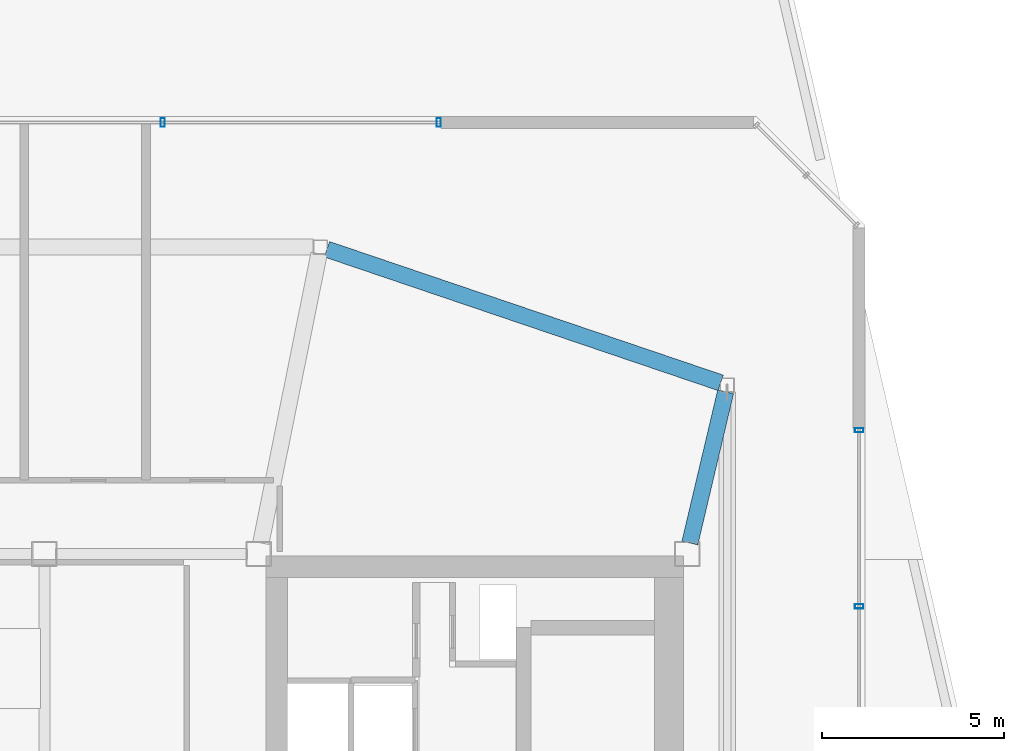
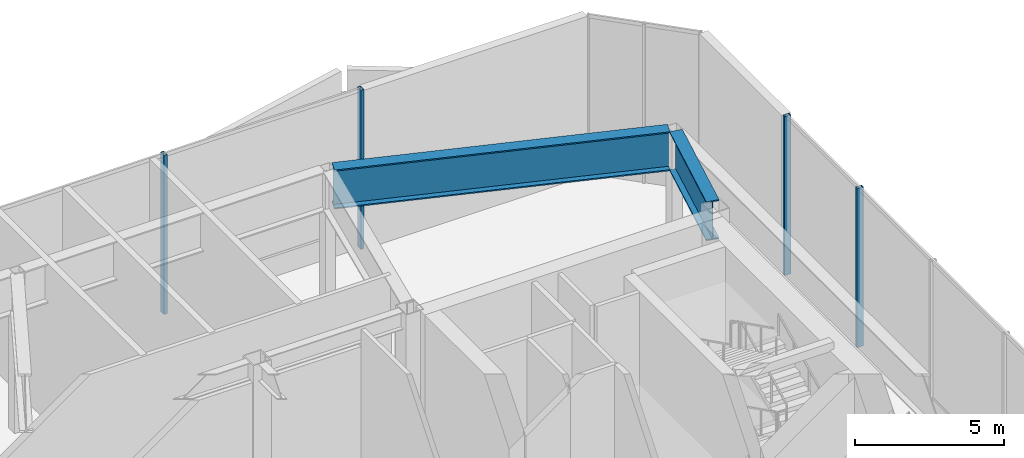
# One storey, part 16 of 25: 4 members, 2 beams, 2 elements without a shape of their own.
"""IFC4 building model written with IfcOpenShell, lengths in metres."""

from ifc_helpers import new_model, si_unit, direction, frame, origin, origin_2d, place, context, subcontext, project, spatial, hollow_rectangle, i_section, extrude, material, layer, layer_set, material_profile, profile_set, type_object, element, aggregate, save


model = new_model("IFC4")

# Units and contexts
model_context = context("Model", 3, precision=1e-05, world=origin(), true_north=direction((0.0, 1.0)))
body_context = subcontext(model_context, "Body", "Model", "MODEL_VIEW")
ifc_project = project(units=[si_unit("LENGTHUNIT", "METRE"), si_unit("AREAUNIT", "SQUARE_METRE"), si_unit("VOLUMEUNIT", "CUBIC_METRE"), si_unit("PLANEANGLEUNIT", "RADIAN"), si_unit("MASSUNIT", "GRAM", prefix="KILO")], contexts=[model_context])

# Site, building, storey
site_placement = place(None, origin())
site = spatial("IfcSite", under=ifc_project, at=site_placement, CompositionType="ELEMENT")
building_placement = place(site_placement, origin())
building = spatial("IfcBuilding", under=site, at=building_placement, Name="Tavrogorsk Clinical Tower", CompositionType="ELEMENT")
storey_placement = place(building_placement, frame((0.0, 0.0, 333.0)))
storey = spatial("IfcBuildingStorey", under=building, at=storey_placement, Name="L78", CompositionType="ELEMENT", Elevation=333.0)

# Curtain wall, members
ifc_material_1 = material(Name="Anodised aluminium and triple IGU glazing", Category="aluminium")
ifc_layer = layer(ifc_material_1, 0.179931640625)
ifc_layer_set = layer_set([ifc_layer], Name="Anodised aluminium and triple IGU glazing")
curtain_wall_type = type_object("IfcCurtainWallType", Name="CW6_TmdLantern", PredefinedType="NOTDEFINED", material=ifc_layer_set)
curtain_wall_1_placement = place(storey_placement, origin())
curtain_wall_1 = element("IfcCurtainWall", 1, at=curtain_wall_1_placement, inside=storey, type_object=curtain_wall_type, Name="L78 Curtain Wall CW-L78-TMD-4", PredefinedType="NOTDEFINED")
ifc_material_2 = material(Name="Anodised aluminium alloy AW-6060", Category="aluminium")
ifc_material_profile_1 = material_profile(ifc_material_2, hollow_rectangle(XDim=0.1201171875, YDim=0.239990234375, WallThickness=0.008056640625, at=origin_2d()), Name="RHS-240x120x8")
ifc_profile_set_1 = profile_set([ifc_material_profile_1], Name="Anodised aluminium alloy AW-6060")
member_type = type_object("IfcMemberType", Name="CwMullion_240x120", PredefinedType="MULLION", material=ifc_profile_set_1)
member_1_placement = place(storey_placement, frame((7.659912109375, 18.22998046875, 0.0), z_axis=(0.0, 0.0, 1.0), x_axis=(1.0, 0.0, 0.0)))
member_1 = element("IfcMember", 2, at=member_1_placement, type_object=member_type, Name="CW-L78-TMD-4 Mullion 4", PredefinedType="MULLION", context=body_context, shape_type="SweptSolid", body=[
    extrude(hollow_rectangle(XDim=0.1201171875, YDim=0.239990234375, WallThickness=0.008056640625, at=origin_2d()), origin(), (0.0, 0.0, 1.0), 6.5),
])
member_2_placement = place(storey_placement, frame((15.259521484375, 18.22998046875, 0.0), z_axis=(0.0, 0.0, 1.0), x_axis=(1.0, 0.0, 0.0)))
member_2 = element("IfcMember", 3, at=member_2_placement, type_object=member_type, Name="CW-L78-TMD-4 Mullion 5", PredefinedType="MULLION", context=body_context, shape_type="SweptSolid", body=[
    extrude(hollow_rectangle(XDim=0.1201171875, YDim=0.239990234375, WallThickness=0.008056640625, at=origin_2d()), origin(), (0.0, 0.0, 1.0), 6.5),
])
aggregate(curtain_wall_1, [member_1, member_2])

curtain_wall_2_placement = place(storey_placement, origin())
curtain_wall_2 = element("IfcCurtainWall", 4, at=curtain_wall_2_placement, inside=storey, type_object=curtain_wall_type, Name="L78 Curtain Wall CW-L78-TMD-6", PredefinedType="NOTDEFINED")
member_3_placement = place(storey_placement, frame((26.830078125, 9.754638671875, 0.0), z_axis=(0.0, 0.0, 1.0), x_axis=(0.0, -1.0, 0.0)))
member_3 = element("IfcMember", 5, at=member_3_placement, type_object=member_type, Name="CW-L78-TMD-6 Mullion 1", PredefinedType="MULLION", context=body_context, shape_type="SweptSolid", body=[
    extrude(hollow_rectangle(XDim=0.1201171875, YDim=0.239990234375, WallThickness=0.008056640625, at=origin_2d()), origin(), (0.0, 0.0, 1.0), 6.5),
])
member_4_placement = place(storey_placement, frame((26.830078125, 4.906982421875, 0.0), z_axis=(0.0, 0.0, 1.0), x_axis=(0.0, -1.0, 0.0)))
member_4 = element("IfcMember", 6, at=member_4_placement, type_object=member_type, Name="CW-L78-TMD-6 Mullion 2", PredefinedType="MULLION", context=body_context, shape_type="SweptSolid", body=[
    extrude(hollow_rectangle(XDim=0.1201171875, YDim=0.239990234375, WallThickness=0.008056640625, at=origin_2d()), origin(), (0.0, 0.0, 1.0), 6.5),
])
aggregate(curtain_wall_2, [member_3, member_4])

# Beams
ifc_material_3 = material(Name="Structural steel S440", Category="steel")
ifc_material_profile_2 = material_profile(ifc_material_3, i_section(OverallWidth=0.449951171875, OverallDepth=1.60009765625, WebThickness=0.031982421875, FlangeThickness=0.050048828125, at=origin_2d()), Name="DK-1600x450x32x50")
ifc_profile_set_2 = profile_set([ifc_material_profile_2], Name="Structural steel S440")
beam_type = type_object("IfcBeamType", Name="TransferGirder_DK1600", PredefinedType="USERDEFINED", material=ifc_profile_set_2)
beam_1_placement = place(storey_placement, frame((23.02001953125, 11.06103515625, 5.699951171875), z_axis=(-0.946976266831, 0.321303517034, 0.0), x_axis=(-0.321303517034, -0.946976266831, 0.0)))
element("IfcBeam", 7, at=beam_1_placement, inside=storey, type_object=beam_type, Name="L78 Crown Spandrel Beam 05", ObjectType="GIRDER", PredefinedType="USERDEFINED", context=body_context, shape_type="SweptSolid", body=[
    extrude(i_section(OverallWidth=0.449951171875, OverallDepth=1.60009765625, WebThickness=0.031982421875, FlangeThickness=0.050048828125, at=origin_2d()), origin(), (0.0, 0.0, 1.0), 11.447021484375),
])
beam_2_placement = place(storey_placement, frame((22.17138671875, 6.651611328125, 5.699951171875), z_axis=(0.230190528398, 0.973145580392, 0.0), x_axis=(-0.973145580392, 0.230190528398, 0.0)))
element("IfcBeam", 8, at=beam_2_placement, inside=storey, type_object=beam_type, Name="L78 Crown Radial Beam 05", ObjectType="GIRDER", PredefinedType="USERDEFINED", context=body_context, shape_type="SweptSolid", body=[
    extrude(i_section(OverallWidth=0.449951171875, OverallDepth=1.60009765625, WebThickness=0.031982421875, FlangeThickness=0.050048828125, at=origin_2d()), origin(), (0.0, 0.0, 1.0), 4.278564453125),
])

save(model, "model.ifc")
